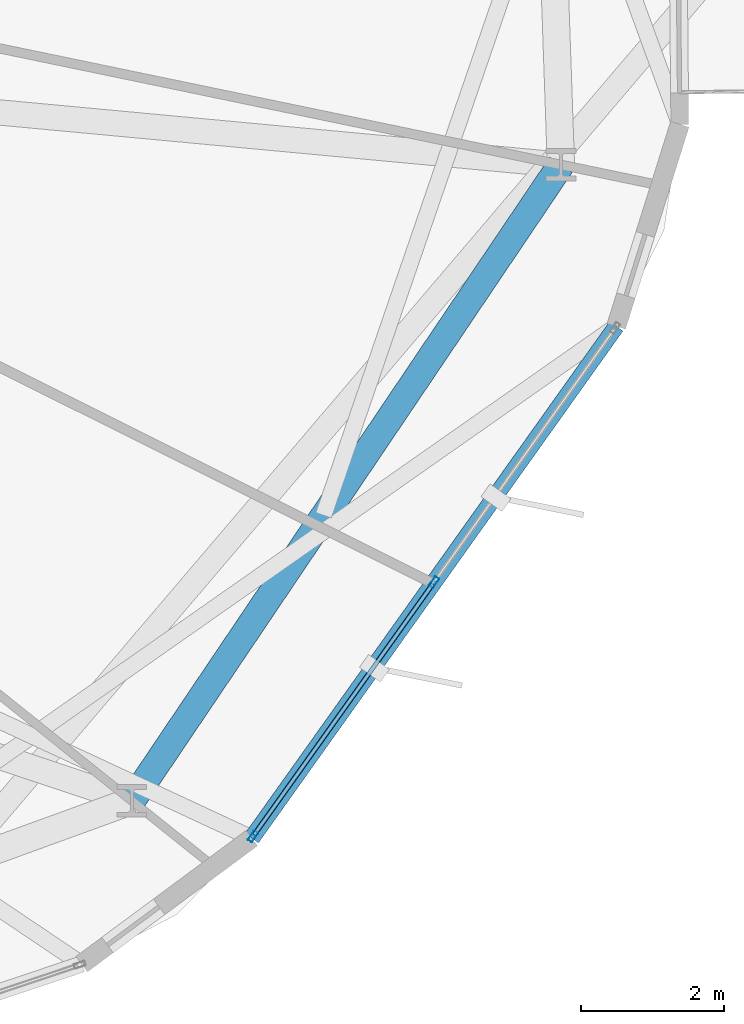
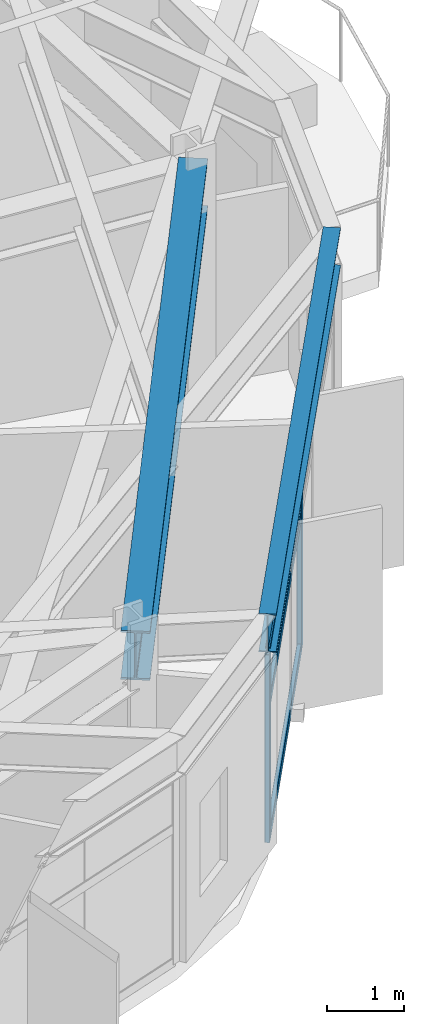
# One storey, part 12 of 27: 5 members, 2 beams, 1 element without a shape of its own.
"""IFC4 building model written with IfcOpenShell, lengths in metres."""

from ifc_helpers import new_model, si_unit, direction, frame, origin, origin_2d, place, context, subcontext, project, spatial, hollow_rectangle, i_section, extrude, material, layer, layer_set, material_profile, profile_set, type_object, element, aggregate, save


model = new_model("IFC4")

# Units and contexts
model_context = context("Model", 3, precision=1e-05, world=origin(), true_north=direction((0.0, 1.0)))
body_context = subcontext(model_context, "Body", "Model", "MODEL_VIEW")
ifc_project = project(units=[si_unit("LENGTHUNIT", "METRE"), si_unit("AREAUNIT", "SQUARE_METRE"), si_unit("VOLUMEUNIT", "CUBIC_METRE"), si_unit("PLANEANGLEUNIT", "RADIAN"), si_unit("MASSUNIT", "GRAM", prefix="KILO")], contexts=[model_context])

# Site, building, storey
site_placement = place(None, origin())
site = spatial("IfcSite", under=ifc_project, at=site_placement, CompositionType="ELEMENT")
building_placement = place(site_placement, origin())
building = spatial("IfcBuilding", under=site, at=building_placement, Name="Soratama Intermodal Tower", CompositionType="ELEMENT")
storey_placement = place(building_placement, frame((0.0, 0.0, 103.0)))
storey = spatial("IfcBuildingStorey", under=building, at=storey_placement, Name="L24", CompositionType="ELEMENT", Elevation=103.0)

# Beams
ifc_material_1 = material(Name="Structural steel ASTM A992 Grade 50", Category="steel")
ifc_material_profile_1 = material_profile(ifc_material_1, i_section(OverallWidth=0.382080078125, OverallDepth=0.779052734375, WebThickness=0.01806640625, FlangeThickness=0.030029296875, FilletRadius=0.01806640625, at=origin_2d()), Name="W30X191")
ifc_profile_set_1 = profile_set([ifc_material_profile_1], Name="Structural steel ASTM A992 Grade 50")
beam_type_1 = type_object("IfcBeamType", Name="BM-RING-W30X191", PredefinedType="BEAM", material=ifc_profile_set_1)
beam_1_placement = place(storey_placement, frame((55.7119140625, 11.2890625, 3.21044921875), z_axis=(0.559249807749, 0.828999187293, 0.0), x_axis=(-0.828999187293, 0.559249807749, 0.0)))
element("IfcBeam", 1, at=beam_1_placement, inside=storey, type_object=beam_type_1, Name="BM-L24-RING-09", PredefinedType="BEAM", context=body_context, shape_type="SweptSolid", body=[
    extrude(i_section(OverallWidth=0.382080078125, OverallDepth=0.779052734375, WebThickness=0.01806640625, FlangeThickness=0.030029296875, FilletRadius=0.01806640625, at=origin_2d()), origin(), (0.0, 0.0, 1.0), 10.75390625),
])
ifc_material_2 = material(Name="Structural steel ASTM A992 Grade 50", Category="steel")
ifc_material_profile_2 = material_profile(ifc_material_2, i_section(OverallWidth=0.22900390625, OverallDepth=0.612060546875, WebThickness=0.011962890625, FlangeThickness=0.01953125, FilletRadius=0.012939453125, at=origin_2d()), Name="W24X84")
ifc_profile_set_2 = profile_set([ifc_material_profile_2], Name="Structural steel ASTM A992 Grade 50")
beam_type_2 = type_object("IfcBeamType", Name="BM-SPN-W24X84", PredefinedType="SPANDREL", material=ifc_profile_set_2)
beam_2_placement = place(storey_placement, frame((57.39404296875, 10.76708984375, 3.2939453125), z_axis=(0.580067886984, 0.814568134958, 0.0), x_axis=(-0.814568134958, 0.580067886984, 0.0)))
element("IfcBeam", 2, at=beam_2_placement, inside=storey, type_object=beam_type_2, Name="BS-L24-F09", PredefinedType="SPANDREL", context=body_context, shape_type="SweptSolid", body=[
    extrude(i_section(OverallWidth=0.22900390625, OverallDepth=0.612060546875, WebThickness=0.011962890625, FlangeThickness=0.01953125, FilletRadius=0.012939453125, at=origin_2d()), origin(), (0.0, 0.0, 1.0), 8.8056640625),
])

# Curtain wall, members
ifc_material_3 = material(Name="Double-glazed aluminium curtain wall", Category="aluminium")
ifc_layer = layer(ifc_material_3, 0.159912109375)
ifc_layer_set = layer_set([ifc_layer], Name="Double-glazed aluminium curtain wall")
curtain_wall_type = type_object("IfcCurtainWallType", Name="CW-SYS-3", PredefinedType="NOTDEFINED", material=ifc_layer_set)
curtain_wall_placement = place(storey_placement, origin())
curtain_wall = element("IfcCurtainWall", 3, at=curtain_wall_placement, inside=storey, type_object=curtain_wall_type, Name="L24 Faceted Curtain Wall F09", PredefinedType="NOTDEFINED")
ifc_material_4 = material(Name="Anodised aluminium AA 6063-T6", Category="aluminium")
ifc_material_profile_3 = material_profile(ifc_material_4, hollow_rectangle(XDim=0.070068359375, YDim=0.159912109375, WallThickness=0.0048828125, InnerFilletRadius=0.0048828125, OuterFilletRadius=0.010009765625, at=origin_2d()), Name="CWM160X70X5")
ifc_profile_set_3 = profile_set([ifc_material_profile_3], Name="Anodised aluminium AA 6063-T6")
member_type_1 = type_object("IfcMemberType", Name="MT-CWM-3", PredefinedType="MULLION", material=ifc_profile_set_3)
member_1_placement = place(storey_placement, frame((57.410888671875, 10.791259765625, 0.0), z_axis=(0.0, 0.0, 1.0), x_axis=(-0.814519150028, 0.580136668585, 0.0)))
member_1 = element("IfcMember", 4, at=member_1_placement, type_object=member_type_1, Name="CW-3 mullion 1", PredefinedType="MULLION", context=body_context, shape_type="SweptSolid", body=[
    extrude(hollow_rectangle(XDim=0.070068359375, YDim=0.159912109375, WallThickness=0.0048828125, InnerFilletRadius=0.0048828125, OuterFilletRadius=0.010009765625, at=origin_2d()), origin(), (0.0, 0.0, 1.0), 2.97900390625),
])
member_2_placement = place(storey_placement, frame((59.947998046875, 14.353515625, 0.0), z_axis=(0.0, 0.0, 1.0), x_axis=(-0.814519150028, 0.580136668585, 0.0)))
member_2 = element("IfcMember", 5, at=member_2_placement, type_object=member_type_1, Name="CW-3 mullion 2", PredefinedType="MULLION", context=body_context, shape_type="SweptSolid", body=[
    extrude(hollow_rectangle(XDim=0.070068359375, YDim=0.159912109375, WallThickness=0.0048828125, InnerFilletRadius=0.0048828125, OuterFilletRadius=0.010009765625, at=origin_2d()), origin(), (0.0, 0.0, 1.0), 2.97900390625),
])
ifc_material_5 = material(Name="Anodised aluminium AA 6063-T6", Category="aluminium")
ifc_material_profile_4 = material_profile(ifc_material_5, hollow_rectangle(XDim=0.06494140625, YDim=0.14990234375, WallThickness=0.0048828125, InnerFilletRadius=0.0048828125, OuterFilletRadius=0.010009765625, at=origin_2d()), Name="CWT150X65X5")
ifc_profile_set_4 = profile_set([ifc_material_profile_4], Name="Anodised aluminium AA 6063-T6")
member_type_2 = type_object("IfcMemberType", Name="TT-CWT-1", PredefinedType="USERDEFINED", material=ifc_profile_set_4)
member_3_placement = place(storey_placement, frame((57.42822265625, 10.815673828125, 0.030029296875), z_axis=(0.580140102652, 0.814516704123, 0.0), x_axis=(-0.814516704123, 0.580140102652, 0.0)))
member_3 = element("IfcMember", 6, at=member_3_placement, type_object=member_type_2, Name="CW-3 transom 1.1", ObjectType="TRANSOM", PredefinedType="USERDEFINED", context=body_context, shape_type="SweptSolid", body=[
    extrude(hollow_rectangle(XDim=0.06494140625, YDim=0.14990234375, WallThickness=0.0048828125, InnerFilletRadius=0.0048828125, OuterFilletRadius=0.010009765625, at=origin_2d()), origin(), (0.0, 0.0, 1.0), 4.3134765625),
])
member_4_placement = place(storey_placement, frame((57.42822265625, 10.815673828125, 2.14990234375), z_axis=(0.580140102652, 0.814516704123, 0.0), x_axis=(-0.814516704123, 0.580140102652, 0.0)))
member_4 = element("IfcMember", 7, at=member_4_placement, type_object=member_type_2, Name="CW-3 transom 1.2", ObjectType="TRANSOM", PredefinedType="USERDEFINED", context=body_context, shape_type="SweptSolid", body=[
    extrude(hollow_rectangle(XDim=0.06494140625, YDim=0.14990234375, WallThickness=0.0048828125, InnerFilletRadius=0.0048828125, OuterFilletRadius=0.010009765625, at=origin_2d()), origin(), (0.0, 0.0, 1.0), 4.3134765625),
])
member_5_placement = place(storey_placement, frame((57.42822265625, 10.815673828125, 2.948974609375), z_axis=(0.580140102652, 0.814516704123, 0.0), x_axis=(-0.814516704123, 0.580140102652, 0.0)))
member_5 = element("IfcMember", 8, at=member_5_placement, type_object=member_type_2, Name="CW-3 transom 1.3", ObjectType="TRANSOM", PredefinedType="USERDEFINED", context=body_context, shape_type="SweptSolid", body=[
    extrude(hollow_rectangle(XDim=0.06494140625, YDim=0.14990234375, WallThickness=0.0048828125, InnerFilletRadius=0.0048828125, OuterFilletRadius=0.010009765625, at=origin_2d()), origin(), (0.0, 0.0, 1.0), 4.3134765625),
])
aggregate(curtain_wall, [member_1, member_2, member_3, member_4, member_5])

save(model, "model.ifc")
